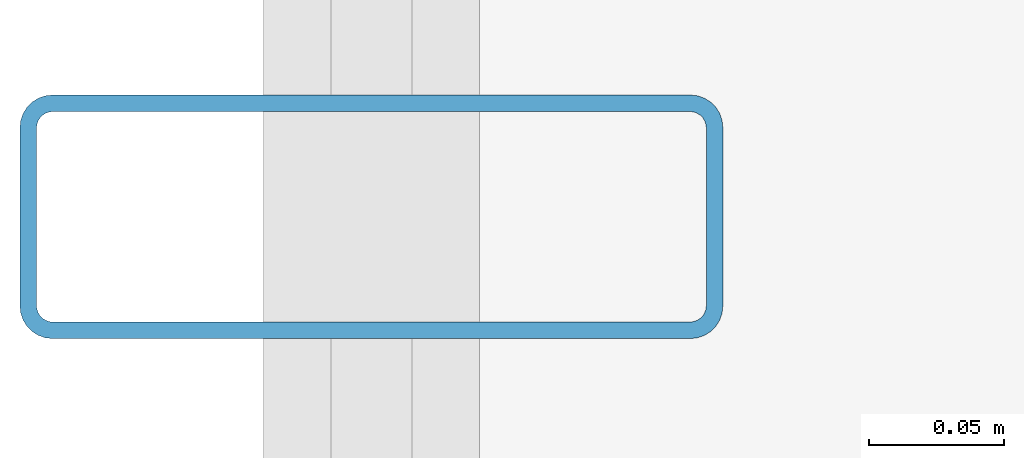
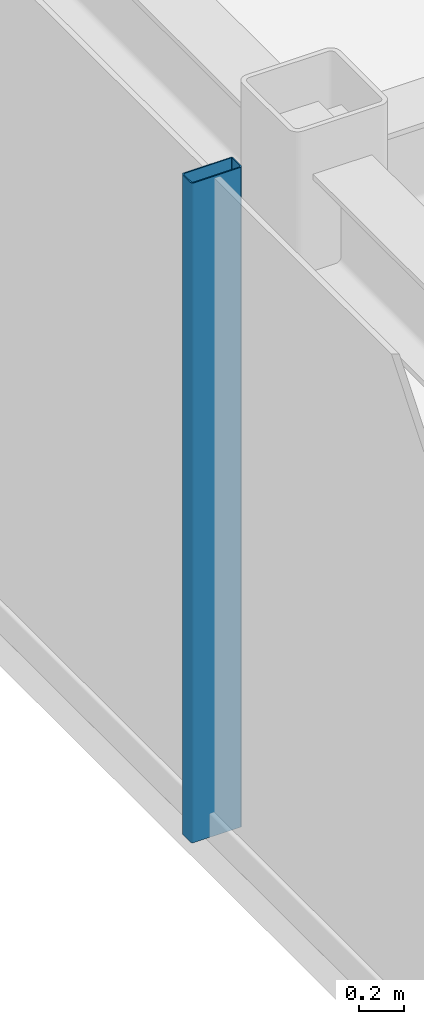
# One storey, part 4 of 18: 1 member, 1 element without a shape of its own.
"""IFC4 building model written with IfcOpenShell, lengths in metres."""

from ifc_helpers import new_model, si_unit, direction, frame, origin, origin_2d, place, context, subcontext, project, spatial, hollow_rectangle, extrude, source, transform, mapped, material, layer, layer_set, material_profile, profile_set, type_object, element, aggregate, save


model = new_model("IFC4")

# Units and contexts
model_context = context("Model", 3, precision=1e-05, world=origin(), true_north=direction((0.0, 1.0)))
body_context = subcontext(model_context, "Body", "Model", "MODEL_VIEW")
ifc_project = project(units=[si_unit("LENGTHUNIT", "METRE"), si_unit("AREAUNIT", "SQUARE_METRE"), si_unit("VOLUMEUNIT", "CUBIC_METRE"), si_unit("PLANEANGLEUNIT", "RADIAN"), si_unit("MASSUNIT", "GRAM", prefix="KILO")], contexts=[model_context])

# Site, building, storey
site_placement = place(None, origin())
site = spatial("IfcSite", under=ifc_project, at=site_placement, CompositionType="ELEMENT")
building_placement = place(site_placement, origin())
building = spatial("IfcBuilding", under=site, at=building_placement, Name="Nefas-Gora Pilgrimage Tower", CompositionType="ELEMENT")
storey_placement = place(building_placement, frame((0.0, 0.0, 326.199951171875)))
storey = spatial("IfcBuildingStorey", under=building, at=storey_placement, Name="L82", CompositionType="ELEMENT", Elevation=326.199951171875)

# Curtain wall, member
ifc_material_1 = material(Name="Dark ceramic-fritted solar-control aluminium-glass curtain wall", Category="aluminium")
ifc_layer = layer(ifc_material_1, 0.219970703125)
ifc_layer_set = layer_set([ifc_layer], Name="Dark ceramic-fritted solar-control aluminium-glass curtain wall")
curtain_wall_type = type_object("IfcCurtainWallType", Name="CW-SYS-4", PredefinedType="NOTDEFINED", material=ifc_layer_set)
curtain_wall_placement = place(storey_placement, origin())
curtain_wall = element("IfcCurtainWall", 1, at=curtain_wall_placement, inside=storey, type_object=curtain_wall_type, Name="L82 Unitised Curtain Wall CW4", PredefinedType="NOTDEFINED")
ifc_material_2 = material(Name="Anodised architectural aluminium", Category="aluminium")
ifc_material_profile = material_profile(ifc_material_2, hollow_rectangle(XDim=0.090087890625, YDim=0.260009765625, WallThickness=0.006103515625, InnerFilletRadius=0.006103515625, OuterFilletRadius=0.011962890625, at=origin_2d()), Name="ALU MULLION 90x260")
ifc_profile_set = profile_set([ifc_material_profile], Name="Anodised architectural aluminium")
member_type = type_object("IfcMemberType", Name="CWM-MUL-4", PredefinedType="MULLION", material=ifc_profile_set)
shared_shape = source(origin(), body_context, "Body", "SweptSolid", [
    extrude(hollow_rectangle(XDim=0.090087890625, YDim=0.260009765625, WallThickness=0.006103515625, InnerFilletRadius=0.006103515625, OuterFilletRadius=0.011962890625, at=origin_2d()), origin(), (0.0, 0.0, 1.0), 3.550048828125),
])
member_placement = place(storey_placement, frame((-25.27001953125, 0.0, 0.0), z_axis=(0.0, 0.0, 1.0), x_axis=(0.0, -1.0, 0.0)))
member = element("IfcMember", 2, at=member_placement, type_object=member_type, Name="CW4 Mullion 2", PredefinedType="MULLION", context=body_context, shape_type="MappedRepresentation", body=[
    mapped(shared_shape, transform((0.0, 0.0, 0.0), x_axis=(1.0, 0.0, 0.0), y_axis=(0.0, 1.0, 0.0), z_axis=(0.0, 0.0, 1.0), scale=1.0)),
])
aggregate(curtain_wall, [member])

save(model, "model.ifc")
